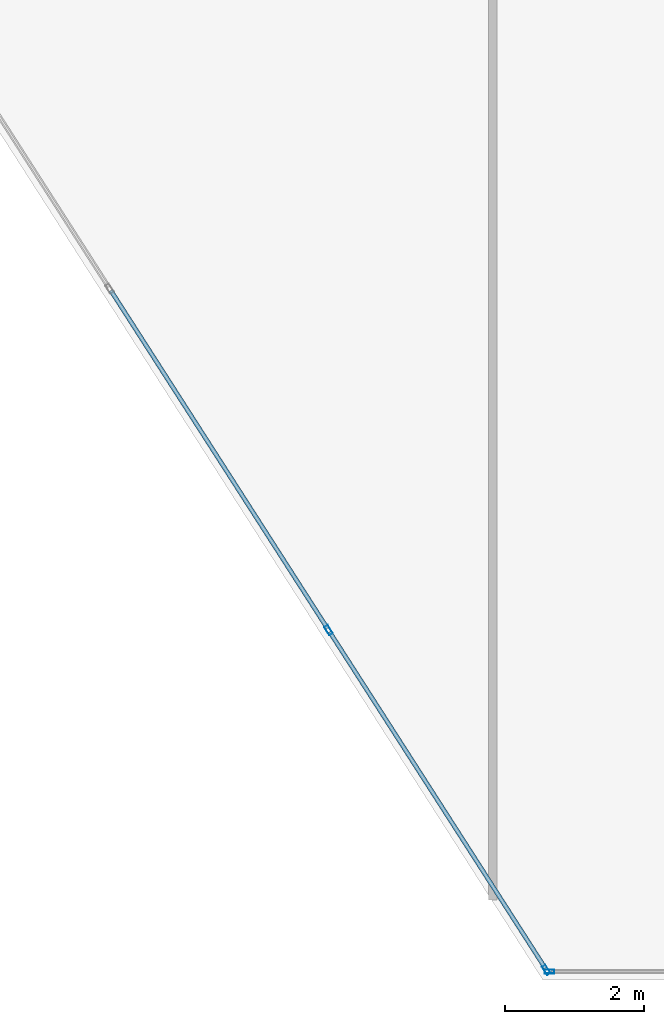
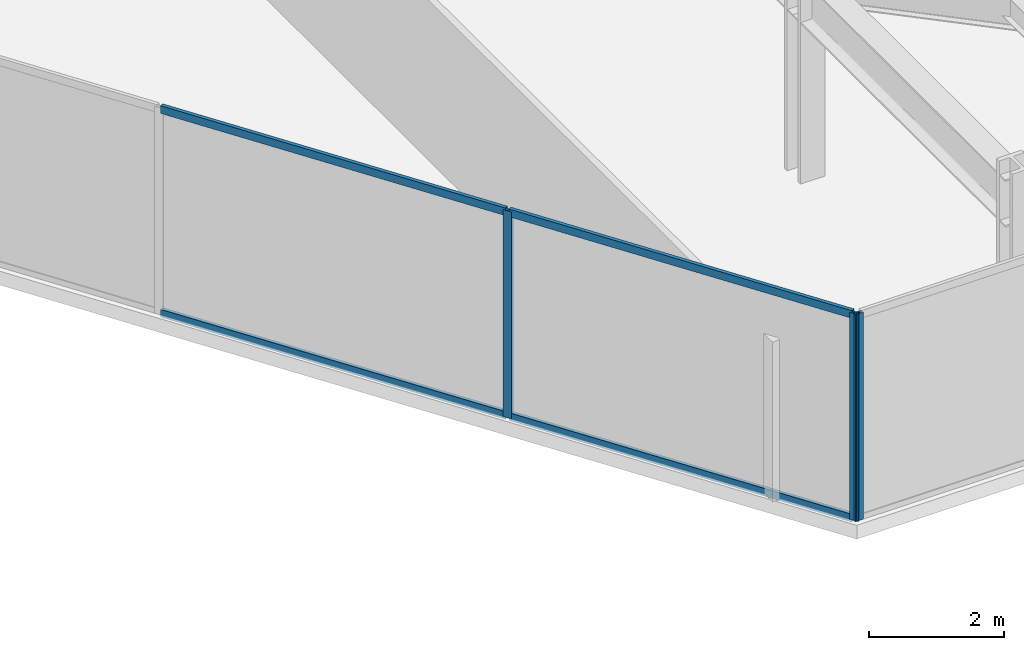
# One storey, part 15 of 26: 7 members, 2 elements without a shape of their own.
"""IFC4 building model written with IfcOpenShell, lengths in metres."""

import ifcopenshell
import ifcopenshell.guid

model = None  # the IFC model being written
_history = None  # IfcOwnerHistory: only IFC2X3 demands one
_inside = {}  # id of a spatial element -> (the spatial element, [elements in it])
_under = {}  # id of a project, library or spatial element -> (it, [spatial elements below it])
_declared = {}  # id of a project -> (the project, [libraries it declares])
_typed = {}  # id of a type object -> (the type object, [elements of that type])
_made_of = {}  # id of a material, layer set ... -> (it, [elements and type objects made of it])


def new_model(schema):
    """Start an empty IFC model of exactly this schema.

    Asked for "IFC4X3", IfcOpenShell would pick the latest addendum, in which some entities
    have other attributes; the version numbers below select the first issue.
    IFC2X3 requires an IfcOwnerHistory on every rooted entity: one is made here for all.
    """
    global model, _history
    if schema == "IFC4X3":
        model = ifcopenshell.file(schema_version=(4, 3, 0, 0))
    else:
        model = ifcopenshell.file(schema=schema)
    _inside.clear()
    _under.clear()
    _declared.clear()
    _typed.clear()
    _made_of.clear()
    _history = None
    if model.schema == "IFC2X3":
        org = make("IfcOrganization", Name="unknown")
        user = make(
            "IfcPersonAndOrganization",
            ThePerson=make("IfcPerson", FamilyName="unknown"),
            TheOrganization=org,
        )
        app = make(
            "IfcApplication",
            ApplicationDeveloper=org,
            Version="unknown",
            ApplicationFullName="unknown",
            ApplicationIdentifier="unknown",
        )
        _history = make(
            "IfcOwnerHistory",
            OwningUser=user,
            OwningApplication=app,
            ChangeAction="ADDED",
            CreationDate=0,
        )
    return model


def make(cls, **values):
    """One entity of the class cls with the attributes given. An attribute that is None is left unset."""
    return model.create_entity(
        cls, **{name: value for name, value in values.items() if value is not None}
    )


def rooted(cls, **values):
    """An entity with a GlobalId (a new one), such as an element, a storey or a relation."""
    return make(cls, GlobalId=ifcopenshell.guid.new(), OwnerHistory=_history, **values)


def si_unit(unit_type, name, prefix=None):
    """IfcSIUnit, for example si_unit("LENGTHUNIT", "METRE", prefix="MILLI")."""
    return make("IfcSIUnit", UnitType=unit_type, Prefix=prefix, Name=name)


def assignment(units):
    """IfcUnitAssignment: the units of a project."""
    return None if units is None else make("IfcUnitAssignment", Units=units)


def point(xyz):
    """IfcCartesianPoint."""
    return None if xyz is None else make("IfcCartesianPoint", Coordinates=xyz)


def direction(xyz):
    """IfcDirection."""
    return None if xyz is None else make("IfcDirection", DirectionRatios=xyz)


def frame(location, z_axis=None, x_axis=None):
    """IfcAxis2Placement3D, a coordinate frame: its origin and axes. An axis left out is left unset."""
    return make(
        "IfcAxis2Placement3D",
        Location=point(location),
        Axis=direction(z_axis),
        RefDirection=direction(x_axis),
    )


def frame_2d(location, x_axis=None):
    """IfcAxis2Placement2D, a coordinate frame in the plane: its origin and x axis."""
    return make(
        "IfcAxis2Placement2D", Location=point(location), RefDirection=direction(x_axis)
    )


def origin():
    """The frame at (0, 0, 0) with its axes left unset."""
    return frame((0.0, 0.0, 0.0))


def origin_2d():
    """The frame at (0, 0) in the plane with its x axis left unset."""
    return frame_2d((0.0, 0.0))


def place(relative_to, where):
    """IfcLocalPlacement: puts the frame where relative to a parent placement (None: the world)."""
    return make(
        "IfcLocalPlacement", PlacementRelTo=relative_to, RelativePlacement=where
    )


def context(
    kind, dimensions, precision=None, world=None, true_north=None, identifier=None
):
    """IfcGeometricRepresentationContext, for example the 3D "Model" context."""
    return make(
        "IfcGeometricRepresentationContext",
        ContextIdentifier=identifier,
        ContextType=kind,
        CoordinateSpaceDimension=dimensions,
        Precision=precision,
        WorldCoordinateSystem=world,
        TrueNorth=true_north,
    )


def subcontext(parent, identifier, kind, view, scale=None):
    """IfcGeometricRepresentationSubContext, for example "Body" below "Model"."""
    return make(
        "IfcGeometricRepresentationSubContext",
        ContextIdentifier=identifier,
        ContextType=kind,
        ParentContext=parent,
        TargetScale=scale,
        TargetView=view,
    )


def project(units=None, contexts=None):
    """IfcProject with its units and contexts."""
    return rooted(
        "IfcProject",
        Name="project",
        RepresentationContexts=contexts,
        UnitsInContext=assignment(units),
    )


def spatial(cls, under=None, at=None, **own):
    """A site, building, storey or space (cls), placed at a placement, below another one or the project."""
    s = rooted(cls, ObjectPlacement=at, **own)
    if under is not None:
        _under.setdefault(under.id(), (under, []))[1].append(s)
    return s


def profile(cls, at=None, kind="AREA", **sizes):
    """A parametric profile (cls). Its sizes go by their IFC names, for example OverallWidth=200.0."""
    return make(cls, ProfileType=kind, Position=at, **sizes)


def hollow_rectangle(**sizes):
    """IfcRectangleHollowProfileDef."""
    return profile("IfcRectangleHollowProfileDef", **sizes)


def extrude(swept, where, along, depth):
    """IfcExtrudedAreaSolid: the profile swept, set in the frame where, extruded along a direction by depth."""
    return make(
        "IfcExtrudedAreaSolid",
        SweptArea=swept,
        Position=where,
        ExtrudedDirection=direction(along),
        Depth=depth,
    )


def shape(context_of_items, identifier, shape_type, items):
    """IfcShapeRepresentation: the items that make up one representation, for example the "Body"."""
    return make(
        "IfcShapeRepresentation",
        ContextOfItems=context_of_items,
        RepresentationIdentifier=identifier,
        RepresentationType=shape_type,
        Items=items,
    )


def material(Name=None, Category=None):
    """IfcMaterial."""
    return make("IfcMaterial", Name=Name, Category=Category)


def layer(
    of_material, thickness, ventilated=None, Name=None, Category=None, Priority=None
):
    """IfcMaterialLayer: one layer of a wall or slab, of a material (None: an air gap)."""
    return make(
        "IfcMaterialLayer",
        Material=of_material,
        LayerThickness=thickness,
        IsVentilated=ventilated,
        Name=Name,
        Category=Category,
        Priority=Priority,
    )


def layer_set(layers, Name=None):
    """IfcMaterialLayerSet."""
    return make("IfcMaterialLayerSet", MaterialLayers=layers, LayerSetName=Name)


def material_profile(
    of_material, cross_section, Name=None, Category=None, Priority=None
):
    """IfcMaterialProfile: a cross section and its material."""
    return make(
        "IfcMaterialProfile",
        Name=Name,
        Material=of_material,
        Profile=cross_section,
        Priority=Priority,
        Category=Category,
    )


def profile_set(profiles, Name=None, composite=None):
    """IfcMaterialProfileSet."""
    return make(
        "IfcMaterialProfileSet",
        Name=Name,
        MaterialProfiles=profiles,
        CompositeProfile=composite,
    )


def made_of(thing, what):
    """Note that an element or type object is made of a material, layer set ...; save() writes the relation."""
    if what is not None:
        _made_of.setdefault(what.id(), (what, []))[1].append(thing)
    return thing


def type_object(cls, material=None, **own):
    """A type object (cls), such as IfcWallType, which elements share."""
    return made_of(rooted(cls, **own), material)


def element(
    cls,
    number,
    at=None,
    inside=None,
    cuts=None,
    type_object=None,
    material=None,
    context=None,
    identifier="Body",
    shape_type=None,
    held_by="IfcProductDefinitionShape",
    body=None,
    shapes=None,
    **own,
):
    """One element of the class cls, such as IfcWall. Its Tag is "e" and its number.

    at: its placement. inside: the storey or other place that contains it. cuts: it is an
    opening in that element (IfcRelVoidsElement). A single representation is given by context,
    identifier, shape_type and body (its items); several are given by shapes. held_by: the class
    of the entity that holds the representations. save() writes the other relations.
    """
    e = rooted(cls, Tag="e%d" % number, ObjectPlacement=at, **own)
    if body is not None:
        shapes = [shape(context, identifier, shape_type, body)]
    if shapes is not None:
        e.Representation = make(held_by, Representations=shapes)
    if inside is not None:
        _inside.setdefault(inside.id(), (inside, []))[1].append(e)
    if cuts is not None:
        rooted(
            "IfcRelVoidsElement", RelatingBuildingElement=cuts, RelatedOpeningElement=e
        )
    if type_object is not None:
        _typed.setdefault(type_object.id(), (type_object, []))[1].append(e)
    return made_of(e, material)


def aggregate(whole, parts):
    """IfcRelAggregates: a whole, such as a stair, and the parts it consists of."""
    return rooted("IfcRelAggregates", RelatingObject=whole, RelatedObjects=parts)


def save(model, path):
    """Write the relations noted so far, then the file.

    IfcRelAggregates (storeys below a building ...), IfcRelContainedInSpatialStructure (elements
    in a storey), IfcRelDefinesByType, IfcRelAssociatesMaterial and IfcRelDeclares: one each for
    every whole, place, type object, material and project.
    """
    for whole, parts in _under.values():
        aggregate(whole, parts)
    for where, things in _inside.values():
        rooted(
            "IfcRelContainedInSpatialStructure",
            RelatedElements=things,
            RelatingStructure=where,
        )
    for kind, things in _typed.values():
        rooted("IfcRelDefinesByType", RelatedObjects=things, RelatingType=kind)
    for what, things in _made_of.values():
        rooted("IfcRelAssociatesMaterial", RelatedObjects=things, RelatingMaterial=what)
    for by, libraries in _declared.values():
        rooted("IfcRelDeclares", RelatingContext=by, RelatedDefinitions=libraries)
    model.write(path)


model = new_model("IFC4")

# Units and contexts
model_context = context("Model", 3, precision=1e-05, world=origin(), true_north=direction((0.0, 1.0)))
body_context = subcontext(model_context, "Body", "Model", "MODEL_VIEW")
ifc_project = project(units=[si_unit("LENGTHUNIT", "METRE"), si_unit("AREAUNIT", "SQUARE_METRE"), si_unit("VOLUMEUNIT", "CUBIC_METRE"), si_unit("PLANEANGLEUNIT", "RADIAN"), si_unit("MASSUNIT", "GRAM", prefix="KILO")], contexts=[model_context])

# Site, building, storey
site_placement = place(None, origin())
site = spatial("IfcSite", under=ifc_project, at=site_placement, CompositionType="ELEMENT")
building_placement = place(site_placement, origin())
building = spatial("IfcBuilding", under=site, at=building_placement, Name="Kravanh Interchange Tower", CompositionType="ELEMENT")
storey_placement = place(building_placement, frame((0.0, 0.0, 120.0)))
storey = spatial("IfcBuildingStorey", under=building, at=storey_placement, Name="L28", CompositionType="ELEMENT", Elevation=120.0)

# Curtain wall, member
ifc_material_1 = material(Name="Anodised Bronze Aluminium", Category="aluminium")
ifc_layer = layer(ifc_material_1, 0.179931640625)
ifc_layer_set = layer_set([ifc_layer], Name="Unitised Curtain Wall System CW-Z2 Mid Office")
curtain_wall_type = type_object("IfcCurtainWallType", Name="Unitised Curtain Wall System CW-Z2 Mid Office", PredefinedType="NOTDEFINED", material=ifc_layer_set)
curtain_wall_1_placement = place(storey_placement, origin())
curtain_wall_1 = element("IfcCurtainWall", 1, at=curtain_wall_1_placement, inside=storey, type_object=curtain_wall_type, Name="L28 Unitised Curtain Wall CW-L28-03", PredefinedType="NOTDEFINED")
ifc_material_2 = material(Name="Anodised Bronze Aluminium", Category="aluminium")
ifc_material_profile_1 = material_profile(ifc_material_2, hollow_rectangle(XDim=0.06005859375, YDim=0.139892578125, WallThickness=0.00390625, at=origin_2d()), Name="ALU60X140X4")
ifc_profile_set_1 = profile_set([ifc_material_profile_1], Name="Anodised Bronze Aluminium")
member_type_1 = type_object("IfcMemberType", Name="Curtain Wall Mullion ALU60X140X4 Bronze", PredefinedType="MULLION", material=ifc_profile_set_1)
member_1_placement = place(storey_placement, frame((52.195556640625, 6.320068359375, 0.0), z_axis=(0.0, 0.0, 1.0), x_axis=(0.0, -1.0, 0.0)))
member_1 = element("IfcMember", 2, at=member_1_placement, type_object=member_type_1, Name="CW-Z2 mullion 3", PredefinedType="MULLION", context=body_context, shape_type="SweptSolid", body=[
    extrude(hollow_rectangle(XDim=0.06005859375, YDim=0.139892578125, WallThickness=0.00390625, at=origin_2d()), origin(), (0.0, 0.0, 1.0), 3.75),
])
aggregate(curtain_wall_1, [member_1])

# Curtain wall, members
curtain_wall_2_placement = place(storey_placement, origin())
curtain_wall_2 = element("IfcCurtainWall", 3, at=curtain_wall_2_placement, inside=storey, type_object=curtain_wall_type, Name="L28 Unitised Curtain Wall CW-L28-04", PredefinedType="NOTDEFINED")
member_2_placement = place(storey_placement, frame((52.1494140625, 6.34521484375, 0.0), z_axis=(0.0, 0.0, 1.0), x_axis=(-0.841879939476, -0.539664865919, 0.0)))
member_2 = element("IfcMember", 4, at=member_2_placement, type_object=member_type_1, Name="CW-Z2 mullion 1", PredefinedType="MULLION", context=body_context, shape_type="SweptSolid", body=[
    extrude(hollow_rectangle(XDim=0.06005859375, YDim=0.139892578125, WallThickness=0.00390625, at=origin_2d()), origin(), (0.0, 0.0, 1.0), 3.75),
])
member_3_placement = place(storey_placement, frame((49.024169921875, 11.220703125, 0.0), z_axis=(0.0, 0.0, 1.0), x_axis=(-0.841879939476, -0.539664865919, 0.0)))
member_3 = element("IfcMember", 5, at=member_3_placement, type_object=member_type_1, Name="CW-Z2 mullion 2", PredefinedType="MULLION", context=body_context, shape_type="SweptSolid", body=[
    extrude(hollow_rectangle(XDim=0.06005859375, YDim=0.139892578125, WallThickness=0.00390625, at=origin_2d()), origin(), (0.0, 0.0, 1.0), 3.75),
])
ifc_material_3 = material(Name="Anodised Bronze Aluminium", Category="aluminium")
ifc_material_profile_2 = material_profile(ifc_material_3, hollow_rectangle(XDim=0.06005859375, YDim=0.139892578125, WallThickness=0.00390625, at=origin_2d()), Name="ALU60X140X4")
ifc_profile_set_2 = profile_set([ifc_material_profile_2], Name="Anodised Bronze Aluminium")
member_type_2 = type_object("IfcMemberType", Name="Curtain Wall Transom ALU60X140X4 Bronze", PredefinedType="USERDEFINED", material=ifc_profile_set_2)
member_4_placement = place(storey_placement, frame((52.13330078125, 6.37060546875, 0.030029296875), z_axis=(-0.539697855812, 0.841858791266, 0.0), x_axis=(-0.841858791266, -0.539697855812, 0.0)))
member_4 = element("IfcMember", 6, at=member_4_placement, type_object=member_type_2, Name="CW-Z2 transom 1.1", ObjectType="TRANSOM", PredefinedType="USERDEFINED", context=body_context, shape_type="SweptSolid", body=[
    extrude(hollow_rectangle(XDim=0.06005859375, YDim=0.139892578125, WallThickness=0.00390625, at=origin_2d()), origin(), (0.0, 0.0, 1.0), 5.73095703125),
])
member_5_placement = place(storey_placement, frame((52.13330078125, 6.37060546875, 3.719970703125), z_axis=(-0.539697855812, 0.841858791266, 0.0), x_axis=(-0.841858791266, -0.539697855812, 0.0)))
member_5 = element("IfcMember", 7, at=member_5_placement, type_object=member_type_2, Name="CW-Z2 transom 1.2", ObjectType="TRANSOM", PredefinedType="USERDEFINED", context=body_context, shape_type="SweptSolid", body=[
    extrude(hollow_rectangle(XDim=0.06005859375, YDim=0.139892578125, WallThickness=0.00390625, at=origin_2d()), origin(), (0.0, 0.0, 1.0), 5.73095703125),
])
member_6_placement = place(storey_placement, frame((49.008056640625, 11.245849609375, 0.030029296875), z_axis=(-0.539677666788, 0.84187173368, 0.0), x_axis=(-0.84187173368, -0.539677666788, 0.0)))
member_6 = element("IfcMember", 8, at=member_6_placement, type_object=member_type_2, Name="CW-Z2 transom 2.1", ObjectType="TRANSOM", PredefinedType="USERDEFINED", context=body_context, shape_type="SweptSolid", body=[
    extrude(hollow_rectangle(XDim=0.06005859375, YDim=0.139892578125, WallThickness=0.00390625, at=origin_2d()), origin(), (0.0, 0.0, 1.0), 5.760986328125),
])
member_7_placement = place(storey_placement, frame((49.008056640625, 11.245849609375, 3.719970703125), z_axis=(-0.539677666788, 0.84187173368, 0.0), x_axis=(-0.84187173368, -0.539677666788, 0.0)))
member_7 = element("IfcMember", 9, at=member_7_placement, type_object=member_type_2, Name="CW-Z2 transom 2.2", ObjectType="TRANSOM", PredefinedType="USERDEFINED", context=body_context, shape_type="SweptSolid", body=[
    extrude(hollow_rectangle(XDim=0.06005859375, YDim=0.139892578125, WallThickness=0.00390625, at=origin_2d()), origin(), (0.0, 0.0, 1.0), 5.760986328125),
])
aggregate(curtain_wall_2, [member_2, member_3, member_4, member_5, member_6, member_7])

save(model, "model.ifc")
